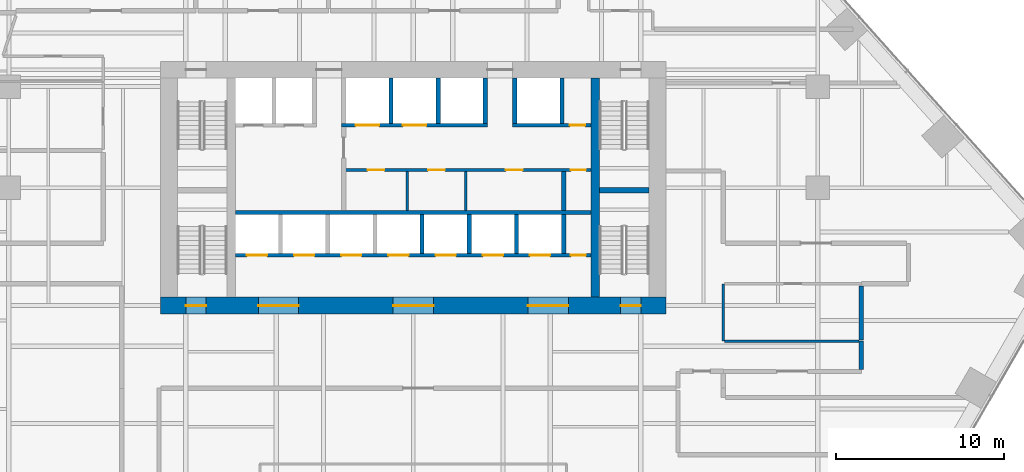
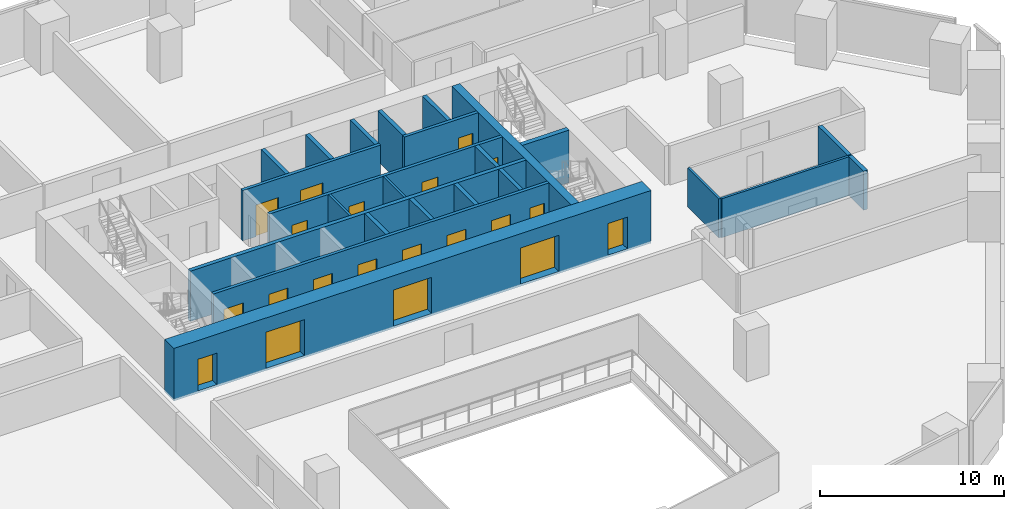
# One storey, part 15 of 20: 24 walls, 20 doors, 20 openings.
"""IFC4 building model written with IfcOpenShell, lengths in metres."""

from ifc_helpers import new_model, si_unit, direction, frame, frame_2d, origin, place, context, subcontext, project, spatial, rectangle, extrude, material, layer, layer_set, type_object, element, fill, save


model = new_model("IFC4")

# Units and contexts
model_context = context("Model", 3, precision=1e-05, world=origin(), true_north=direction((0.0, 1.0)))
body_context = subcontext(model_context, "Body", "Model", "MODEL_VIEW")
ifc_project = project(units=[si_unit("LENGTHUNIT", "METRE"), si_unit("AREAUNIT", "SQUARE_METRE"), si_unit("VOLUMEUNIT", "CUBIC_METRE"), si_unit("PLANEANGLEUNIT", "RADIAN"), si_unit("MASSUNIT", "GRAM", prefix="KILO")], contexts=[model_context])

# Site, building, storey
site_placement = place(None, origin())
site = spatial("IfcSite", under=ifc_project, at=site_placement, CompositionType="ELEMENT")
building_placement = place(site_placement, origin())
building = spatial("IfcBuilding", under=site, at=building_placement, Name="Isthmus Gate Tower", CompositionType="ELEMENT")
storey_placement = place(building_placement, frame((0.0, 0.0, 72.5)))
storey = spatial("IfcBuildingStorey", under=building, at=storey_placement, Name="L16", CompositionType="ELEMENT", Elevation=72.5)

# Walls
ifc_material_1 = material(Name="Double-leaf acoustic stud wall, fire-rated", Category="gypsum")
ifc_layer_1 = layer(ifc_material_1, 0.25)
ifc_layer_set_1 = layer_set([ifc_layer_1], Name="ACOUSTIC WALL 250 60 MIN")
wall_type_1 = type_object("IfcWallType", Name="ACOUSTIC WALL 250 60 MIN", PredefinedType="PARTITIONING", material=ifc_layer_set_1)
wall_1_placement = place(storey_placement, frame((26.590087890625, -1.60009765625, 0.0), z_axis=(0.0, 0.0, 1.0), x_axis=(0.0, -1.0, 0.0)))
element("IfcWall", 1, at=wall_1_placement, inside=storey, type_object=wall_type_1, Name="L16 Acoustic Wall 250 60 Min", PredefinedType="PARTITIONING", context=body_context, shape_type="SweptSolid", body=[
    extrude(rectangle(XDim=1.6748046875, YDim=0.25, at=frame_2d((0.83740234375, 0.0))), origin(), (0.0, 0.0, 1.0), 2.59130859375),
])
wall_2_placement = place(storey_placement, frame((26.590087890625, -1.52490234375, 0.0), z_axis=(0.0, 0.0, 1.0), x_axis=(0.00053406569, 0.999999857387, 0.0)))
element("IfcWall", 2, at=wall_2_placement, inside=storey, type_object=wall_type_1, Name="L16 Acoustic Wall 250 60 Min", PredefinedType="PARTITIONING", context=body_context, shape_type="SweptSolid", body=[
    extrude(rectangle(XDim=3.199951171875, YDim=0.25, at=frame_2d((1.60009765625, 0.0))), origin(), (0.0, 0.0, 1.0), 2.59130859375),
])
ifc_material_2 = material(Name="Gypsum board on steel studs, fire-rated", Category="steel")
ifc_layer_2 = layer(ifc_material_2, 0.14990234375)
ifc_layer_set_2 = layer_set([ifc_layer_2], Name="CORRIDOR WALL 150 60 MIN")
wall_type_2 = type_object("IfcWallType", Name="CORRIDOR WALL 150 60 MIN", PredefinedType="PARTITIONING", material=ifc_layer_set_2)
wall_3_placement = place(storey_placement, frame((18.39990234375, 1.800048828125, 0.0), z_axis=(0.0, 0.0, 1.0), x_axis=(0.0, -1.0, 0.0)))
element("IfcWall", 3, at=wall_3_placement, inside=storey, type_object=wall_type_2, Name="L16 Corridor Wall 150 60 Min", PredefinedType="PARTITIONING", context=body_context, shape_type="SweptSolid", body=[
    extrude(rectangle(XDim=3.400146484375, YDim=0.14990234375, at=frame_2d((1.7001953125, 0.0))), origin(), (0.0, 0.0, 1.0), 2.59130859375),
])
wall_4_placement = place(storey_placement, frame((18.47509765625, -1.60009765625, 0.0), z_axis=(0.0, 0.0, 1.0), x_axis=(1.0, 0.0, 0.0)))
element("IfcWall", 4, at=wall_4_placement, inside=storey, type_object=wall_type_2, Name="L16 Corridor Wall 150 60 Min", PredefinedType="PARTITIONING", context=body_context, shape_type="SweptSolid", body=[
    extrude(rectangle(XDim=7.989990234375, YDim=0.14990234375, at=frame_2d((3.9951171875, 0.0))), origin(), (0.0, 0.0, 1.0), 2.59130859375),
])
ifc_material_3 = material(Name="Concrete f'c 70 MPa", Category="concrete")
ifc_layer_3 = layer(ifc_material_3, 0.5)
ifc_layer_set_3 = layer_set([ifc_layer_3], Name="RC CORE SPINE WALL 500 F'C 70")
wall_type_3 = type_object("IfcWallType", Name="RC CORE SPINE WALL 500 F'C 70", PredefinedType="SOLIDWALL", material=ifc_layer_set_3)
wall_5_placement = place(storey_placement, frame((10.800048828125, 1.0, -0.14990234375), z_axis=(0.0, 0.0, 1.0), x_axis=(0.0, 1.0, 0.0)))
element("IfcWall", 5, at=wall_5_placement, inside=storey, type_object=wall_type_3, Name="str-corewall-L16-SPE", PredefinedType="SOLIDWALL", context=body_context, shape_type="SweptSolid", body=[
    extrude(rectangle(XDim=13.0, YDim=0.5, at=frame_2d((6.5, 0.0))), origin(), (0.0, 0.0, 1.0), 3.5),
])

# Wall, openings, doors
ifc_material_4 = material(Name="Concrete f'c 70 MPa", Category="concrete")
ifc_layer_4 = layer(ifc_material_4, 1.0)
ifc_layer_set_4 = layer_set([ifc_layer_4], Name="RC CORE WALL 1000 F'C 70")
wall_type_4 = type_object("IfcWallType", Name="RC CORE WALL 1000 F'C 70", PredefinedType="SOLIDWALL", material=ifc_layer_set_4)
wall_6_placement = place(storey_placement, frame((-15.0, 0.5, -0.14990234375), z_axis=(0.0, 0.0, 1.0), x_axis=(1.0, 0.0, 0.0)))
wall_6 = element("IfcWall", 6, at=wall_6_placement, inside=storey, type_object=wall_type_4, Name="str-corewall-L16-S", PredefinedType="SOLIDWALL", context=body_context, shape_type="SweptSolid", body=[
    extrude(rectangle(XDim=30.0, YDim=1.0, at=frame_2d((15.0, 0.0))), origin(), (0.0, 0.0, 1.0), 3.5),
])
opening_1_placement = place(wall_6_placement, frame((5.800048828125, 0.0, 0.14990234375)))
opening_1 = element("IfcOpeningElement", 7, at=opening_1_placement, cuts=wall_6, Name="Opening DC-A05-08", PredefinedType="OPENING", context=body_context, shape_type="SweptSolid", body=[
    extrude(rectangle(XDim=2.39990234375, YDim=2.39990234375, at=frame_2d((1.199951171875, 1.199951171875))), frame((0.0, 0.510009765625, 0.0), z_axis=(0.0, -1.0, 0.0), x_axis=(1.0, 0.0, 0.0)), (0.0, 0.0, 1.0), 1.02001953125),
])
opening_2_placement = place(wall_6_placement, frame((13.800048828125, 0.0, 0.14990234375)))
opening_2 = element("IfcOpeningElement", 8, at=opening_2_placement, cuts=wall_6, Name="Opening DC-A05-09", PredefinedType="OPENING", context=body_context, shape_type="SweptSolid", body=[
    extrude(rectangle(XDim=2.39990234375, YDim=2.39990234375, at=frame_2d((1.199951171875, 1.199951171875))), frame((0.0, 0.510009765625, 0.0), z_axis=(0.0, -1.0, 0.0), x_axis=(1.0, 0.0, 0.0)), (0.0, 0.0, 1.0), 1.02001953125),
])
opening_3_placement = place(wall_6_placement, frame((21.800048828125, 0.0, 0.14990234375)))
opening_3 = element("IfcOpeningElement", 9, at=opening_3_placement, cuts=wall_6, Name="Opening DC-A05-10", PredefinedType="OPENING", context=body_context, shape_type="SweptSolid", body=[
    extrude(rectangle(XDim=2.39990234375, YDim=2.39990234375, at=frame_2d((1.199951171875, 1.199951171875))), frame((0.0, 0.510009765625, 0.0), z_axis=(0.0, -1.0, 0.0), x_axis=(1.0, 0.0, 0.0)), (0.0, 0.0, 1.0), 1.02001953125),
])
opening_4_placement = place(wall_6_placement, frame((1.5, 0.0, 0.14990234375)))
opening_4 = element("IfcOpeningElement", 10, at=opening_4_placement, cuts=wall_6, Name="Opening DC-A05-15", PredefinedType="OPENING", context=body_context, shape_type="SweptSolid", body=[
    extrude(rectangle(XDim=1.199951171875, YDim=2.10009765625, at=frame_2d((0.60009765625, 1.050048828125))), frame((0.0, 0.510009765625, 0.0), z_axis=(0.0, -1.0, 0.0), x_axis=(1.0, 0.0, 0.0)), (0.0, 0.0, 1.0), 1.02001953125),
])
opening_5_placement = place(wall_6_placement, frame((27.300048828125, 0.0, 0.14990234375)))
opening_5 = element("IfcOpeningElement", 11, at=opening_5_placement, cuts=wall_6, Name="Opening DC-A05-16", PredefinedType="OPENING", context=body_context, shape_type="SweptSolid", body=[
    extrude(rectangle(XDim=1.199951171875, YDim=2.10009765625, at=frame_2d((0.60009765625, 1.050048828125))), frame((0.0, 0.510009765625, 0.0), z_axis=(0.0, -1.0, 0.0), x_axis=(1.0, 0.0, 0.0)), (0.0, 0.0, 1.0), 1.02001953125),
])
ifc_material_5 = material(Name="Laminated safety glass in steel frame, fire-rated", Category="steel")
door_type_1 = type_object("IfcDoorType", Name="LOBBY ENTRANCE FIRE DOOR 2400 X 2400 60 MIN", OperationType="DOUBLE_DOOR_DOUBLE_SWING", PredefinedType="DOOR", material=ifc_material_5)
door_1_placement = place(opening_1_placement, origin())
door_1 = element("IfcDoor", 12, at=door_1_placement, inside=storey, type_object=door_type_1, Name="Lobby Entrance PS-W", OperationType="DOUBLE_DOOR_DOUBLE_SWING", OverallHeight=2.39990234375, OverallWidth=2.39990234375, PredefinedType="DOOR", context=body_context, shape_type="SweptSolid", body=[
    extrude(rectangle(XDim=2.39990234375, YDim=2.39990234375, at=frame_2d((1.199951171875, 1.199951171875))), frame((0.0, 0.02490234375, 0.0), z_axis=(0.0, -1.0, 0.0), x_axis=(1.0, 0.0, 0.0)), (0.0, 0.0, 1.0), 0.050048828125),
])
fill(opening_1, door_1)
door_2_placement = place(opening_2_placement, origin())
door_2 = element("IfcDoor", 13, at=door_2_placement, inside=storey, type_object=door_type_1, Name="Lobby Entrance PS-C", OperationType="DOUBLE_DOOR_DOUBLE_SWING", OverallHeight=2.39990234375, OverallWidth=2.39990234375, PredefinedType="DOOR", context=body_context, shape_type="SweptSolid", body=[
    extrude(rectangle(XDim=2.39990234375, YDim=2.39990234375, at=frame_2d((1.199951171875, 1.199951171875))), frame((0.0, 0.02490234375, 0.0), z_axis=(0.0, -1.0, 0.0), x_axis=(1.0, 0.0, 0.0)), (0.0, 0.0, 1.0), 0.050048828125),
])
fill(opening_2, door_2)
door_3_placement = place(opening_3_placement, origin())
door_3 = element("IfcDoor", 14, at=door_3_placement, inside=storey, type_object=door_type_1, Name="Lobby Entrance PS-E", OperationType="DOUBLE_DOOR_DOUBLE_SWING", OverallHeight=2.39990234375, OverallWidth=2.39990234375, PredefinedType="DOOR", context=body_context, shape_type="SweptSolid", body=[
    extrude(rectangle(XDim=2.39990234375, YDim=2.39990234375, at=frame_2d((1.199951171875, 1.199951171875))), frame((0.0, 0.02490234375, 0.0), z_axis=(0.0, -1.0, 0.0), x_axis=(1.0, 0.0, 0.0)), (0.0, 0.0, 1.0), 0.050048828125),
])
fill(opening_3, door_3)
ifc_material_6 = material(Name="Steel door leaf, fire-rated", Category="steel")
door_type_2 = type_object("IfcDoorType", Name="STAIR FIRE DOOR 1200 X 2100 90 MIN", OperationType="SINGLE_SWING_LEFT", PredefinedType="DOOR", material=ifc_material_6)
door_4_placement = place(opening_4_placement, origin())
door_4 = element("IfcDoor", 15, at=door_4_placement, inside=storey, type_object=door_type_2, Name="Exit Stair 7 Door", OperationType="SINGLE_SWING_LEFT", OverallHeight=2.10009765625, OverallWidth=1.199951171875, PredefinedType="DOOR", context=body_context, shape_type="SweptSolid", body=[
    extrude(rectangle(XDim=1.199951171875, YDim=2.10009765625, at=frame_2d((0.60009765625, 1.050048828125))), frame((0.0, 0.02490234375, 0.0), z_axis=(0.0, -1.0, 0.0), x_axis=(1.0, 0.0, 0.0)), (0.0, 0.0, 1.0), 0.050048828125),
])
fill(opening_4, door_4)
door_5_placement = place(opening_5_placement, origin())
door_5 = element("IfcDoor", 16, at=door_5_placement, inside=storey, type_object=door_type_2, Name="Exit Stair 8 Door", OperationType="SINGLE_SWING_RIGHT", OverallHeight=2.10009765625, OverallWidth=1.199951171875, PredefinedType="DOOR", context=body_context, shape_type="SweptSolid", body=[
    extrude(rectangle(XDim=1.199951171875, YDim=2.10009765625, at=frame_2d((0.60009765625, 1.050048828125))), frame((0.0, 0.02490234375, 0.0), z_axis=(0.0, -1.0, 0.0), x_axis=(1.0, 0.0, 0.0)), (0.0, 0.0, 1.0), 0.050048828125),
])
fill(opening_5, door_5)

# Walls
ifc_material_7 = material(Name="Gypsum board on steel studs, fire-rated", Category="steel")
ifc_layer_5 = layer(ifc_material_7, 0.14990234375)
ifc_layer_set_5 = layer_set([ifc_layer_5], Name="ROOM PARTITION 150 60 MIN")
wall_type_5 = type_object("IfcWallType", Name="ROOM PARTITION 150 60 MIN", PredefinedType="PARTITIONING", material=ifc_layer_set_5)
for number, where, z_axis, x_axis, name in (
    (17, (-0.35009765625, 6.14990234375, 0.0), (0.0, 0.0, 1.0), (0.0, 1.0, 0.0), "L16 ROOM PARTITION 150 60 MIN"),
    (18, (3.10009765625, 6.14990234375, 0.0), (0.0, 0.0, 1.0), (0.0, 1.0, 0.0), "L16 ROOM PARTITION 150 60 MIN"),
):
    element("IfcWall", number, at=place(storey_placement, frame(where, z_axis=z_axis, x_axis=x_axis)), inside=storey, type_object=wall_type_5, Name=name, PredefinedType="PARTITIONING", context=body_context, shape_type="SweptSolid", body=[
        extrude(rectangle(XDim=2.300048828125, YDim=0.14990234375, at=frame_2d((1.14990234375, 0.0))), origin(), (0.0, 0.0, 1.0), 3.35009765625),
    ])

# Wall, openings, doors
ifc_material_8 = material(Name="Fire-rated blockwork masonry, 15 MPa", Category="masonry")
ifc_layer_6 = layer(ifc_material_8, 0.199951171875)
ifc_layer_set_6 = layer_set([ifc_layer_6], Name="SHAFT FRONT WALL 200 120 MIN")
wall_type_6 = type_object("IfcWallType", Name="SHAFT FRONT WALL 200 120 MIN", PredefinedType="PARTITIONING", material=ifc_layer_set_6)
wall_7_placement = place(storey_placement, frame((-10.550048828125, 3.5, 0.0), z_axis=(0.0, 0.0, 1.0), x_axis=(1.0, 0.0, 0.0)))
wall_7 = element("IfcWall", 19, at=wall_7_placement, inside=storey, type_object=wall_type_6, Name="L16 SHAFT FRONT WALL 200 120 MIN", PredefinedType="PARTITIONING", context=body_context, shape_type="SweptSolid", body=[
    extrude(rectangle(XDim=21.10009765625, YDim=0.199951171875, at=frame_2d((10.550048828125, 0.0))), origin(), (0.0, 0.0, 1.0), 3.35009765625),
])
opening_6_placement = place(wall_7_placement, frame((0.675048828125, 0.0, 0.0)))
opening_6 = element("IfcOpeningElement", 20, at=opening_6_placement, cuts=wall_7, Name="Opening LD-LA1", PredefinedType="OPENING", context=body_context, shape_type="SweptSolid", body=[
    extrude(rectangle(XDim=1.199951171875, YDim=2.10009765625, at=frame_2d((0.60009765625, 1.050048828125))), frame((0.0, 0.10986328125, 0.0), z_axis=(0.0, -1.0, 0.0), x_axis=(1.0, 0.0, 0.0)), (0.0, 0.0, 1.0), 0.219970703125),
])
opening_7_placement = place(wall_7_placement, frame((3.47509765625, 0.0, 0.0)))
opening_7 = element("IfcOpeningElement", 21, at=opening_7_placement, cuts=wall_7, Name="Opening LD-LA2", PredefinedType="OPENING", context=body_context, shape_type="SweptSolid", body=[
    extrude(rectangle(XDim=1.199951171875, YDim=2.10009765625, at=frame_2d((0.60009765625, 1.050048828125))), frame((0.0, 0.10986328125, 0.0), z_axis=(0.0, -1.0, 0.0), x_axis=(1.0, 0.0, 0.0)), (0.0, 0.0, 1.0), 0.219970703125),
])
opening_8_placement = place(wall_7_placement, frame((6.27490234375, 0.0, 0.0)))
opening_8 = element("IfcOpeningElement", 22, at=opening_8_placement, cuts=wall_7, Name="Opening LD-LA3", PredefinedType="OPENING", context=body_context, shape_type="SweptSolid", body=[
    extrude(rectangle(XDim=1.199951171875, YDim=2.10009765625, at=frame_2d((0.60009765625, 1.050048828125))), frame((0.0, 0.10986328125, 0.0), z_axis=(0.0, -1.0, 0.0), x_axis=(1.0, 0.0, 0.0)), (0.0, 0.0, 1.0), 0.219970703125),
])
opening_9_placement = place(wall_7_placement, frame((9.074951171875, 0.0, 0.0)))
opening_9 = element("IfcOpeningElement", 23, at=opening_9_placement, cuts=wall_7, Name="Opening LD-LA4", PredefinedType="OPENING", context=body_context, shape_type="SweptSolid", body=[
    extrude(rectangle(XDim=1.199951171875, YDim=2.10009765625, at=frame_2d((0.60009765625, 1.050048828125))), frame((0.0, 0.10986328125, 0.0), z_axis=(0.0, -1.0, 0.0), x_axis=(1.0, 0.0, 0.0)), (0.0, 0.0, 1.0), 0.219970703125),
])
opening_10_placement = place(wall_7_placement, frame((11.875, 0.0, 0.0)))
opening_10 = element("IfcOpeningElement", 24, at=opening_10_placement, cuts=wall_7, Name="Opening LD-LA5", PredefinedType="OPENING", context=body_context, shape_type="SweptSolid", body=[
    extrude(rectangle(XDim=1.199951171875, YDim=2.10009765625, at=frame_2d((0.60009765625, 1.050048828125))), frame((0.0, 0.10986328125, 0.0), z_axis=(0.0, -1.0, 0.0), x_axis=(1.0, 0.0, 0.0)), (0.0, 0.0, 1.0), 0.219970703125),
])
opening_11_placement = place(wall_7_placement, frame((14.675048828125, 0.0, 0.0)))
opening_11 = element("IfcOpeningElement", 25, at=opening_11_placement, cuts=wall_7, Name="Opening LD-LA6", PredefinedType="OPENING", context=body_context, shape_type="SweptSolid", body=[
    extrude(rectangle(XDim=1.199951171875, YDim=2.10009765625, at=frame_2d((0.60009765625, 1.050048828125))), frame((0.0, 0.10986328125, 0.0), z_axis=(0.0, -1.0, 0.0), x_axis=(1.0, 0.0, 0.0)), (0.0, 0.0, 1.0), 0.219970703125),
])
opening_12_placement = place(wall_7_placement, frame((17.47509765625, 0.0, 0.0)))
opening_12 = element("IfcOpeningElement", 26, at=opening_12_placement, cuts=wall_7, Name="Opening LD-LA7", PredefinedType="OPENING", context=body_context, shape_type="SweptSolid", body=[
    extrude(rectangle(XDim=1.199951171875, YDim=2.10009765625, at=frame_2d((0.60009765625, 1.050048828125))), frame((0.0, 0.10986328125, 0.0), z_axis=(0.0, -1.0, 0.0), x_axis=(1.0, 0.0, 0.0)), (0.0, 0.0, 1.0), 0.219970703125),
])
opening_13_placement = place(wall_7_placement, frame((19.89990234375, 0.0, 0.0)))
opening_13 = element("IfcOpeningElement", 27, at=opening_13_placement, cuts=wall_7, Name="Opening DC-A05-02", PredefinedType="OPENING", context=body_context, shape_type="SweptSolid", body=[
    extrude(rectangle(XDim=0.89990234375, YDim=2.10009765625, at=frame_2d((0.449951171875, 1.050048828125))), frame((0.0, 0.10986328125, 0.0), z_axis=(0.0, -1.0, 0.0), x_axis=(1.0, 0.0, 0.0)), (0.0, 0.0, 1.0), 0.219970703125),
])
ifc_material_9 = material(Name="Stainless steel sliding leaf", Category="steel")
door_type_3 = type_object("IfcDoorType", Name="LIFT LANDING FIRE DOOR 1200 X 2100 90 MIN", OperationType="DOUBLE_DOOR_SLIDING", PredefinedType="DOOR", material=ifc_material_9)
door_6_placement = place(opening_6_placement, origin())
door_6 = element("IfcDoor", 28, at=door_6_placement, inside=storey, type_object=door_type_3, Name="Lift Landing Door LA1", OperationType="DOUBLE_DOOR_SLIDING", OverallHeight=2.10009765625, OverallWidth=1.199951171875, PredefinedType="DOOR", context=body_context, shape_type="SweptSolid", body=[
    extrude(rectangle(XDim=1.199951171875, YDim=2.10009765625, at=frame_2d((0.60009765625, 1.050048828125))), frame((0.0, 0.02490234375, 0.0), z_axis=(0.0, -1.0, 0.0), x_axis=(1.0, 0.0, 0.0)), (0.0, 0.0, 1.0), 0.050048828125),
])
fill(opening_6, door_6)
door_7_placement = place(opening_7_placement, origin())
door_7 = element("IfcDoor", 29, at=door_7_placement, inside=storey, type_object=door_type_3, Name="Lift Landing Door LA2", OperationType="DOUBLE_DOOR_SLIDING", OverallHeight=2.10009765625, OverallWidth=1.199951171875, PredefinedType="DOOR", context=body_context, shape_type="SweptSolid", body=[
    extrude(rectangle(XDim=1.199951171875, YDim=2.10009765625, at=frame_2d((0.60009765625, 1.050048828125))), frame((0.0, 0.02490234375, 0.0), z_axis=(0.0, -1.0, 0.0), x_axis=(1.0, 0.0, 0.0)), (0.0, 0.0, 1.0), 0.050048828125),
])
fill(opening_7, door_7)
door_8_placement = place(opening_8_placement, origin())
door_8 = element("IfcDoor", 30, at=door_8_placement, inside=storey, type_object=door_type_3, Name="Lift Landing Door LA3", OperationType="DOUBLE_DOOR_SLIDING", OverallHeight=2.10009765625, OverallWidth=1.199951171875, PredefinedType="DOOR", context=body_context, shape_type="SweptSolid", body=[
    extrude(rectangle(XDim=1.199951171875, YDim=2.10009765625, at=frame_2d((0.60009765625, 1.050048828125))), frame((0.0, 0.02490234375, 0.0), z_axis=(0.0, -1.0, 0.0), x_axis=(1.0, 0.0, 0.0)), (0.0, 0.0, 1.0), 0.050048828125),
])
fill(opening_8, door_8)
door_9_placement = place(opening_9_placement, origin())
door_9 = element("IfcDoor", 31, at=door_9_placement, inside=storey, type_object=door_type_3, Name="Lift Landing Door LA4", OperationType="DOUBLE_DOOR_SLIDING", OverallHeight=2.10009765625, OverallWidth=1.199951171875, PredefinedType="DOOR", context=body_context, shape_type="SweptSolid", body=[
    extrude(rectangle(XDim=1.199951171875, YDim=2.10009765625, at=frame_2d((0.60009765625, 1.050048828125))), frame((0.0, 0.02490234375, 0.0), z_axis=(0.0, -1.0, 0.0), x_axis=(1.0, 0.0, 0.0)), (0.0, 0.0, 1.0), 0.050048828125),
])
fill(opening_9, door_9)
door_10_placement = place(opening_10_placement, origin())
door_10 = element("IfcDoor", 32, at=door_10_placement, inside=storey, type_object=door_type_3, Name="Lift Landing Door LA5", OperationType="DOUBLE_DOOR_SLIDING", OverallHeight=2.10009765625, OverallWidth=1.199951171875, PredefinedType="DOOR", context=body_context, shape_type="SweptSolid", body=[
    extrude(rectangle(XDim=1.199951171875, YDim=2.10009765625, at=frame_2d((0.60009765625, 1.050048828125))), frame((0.0, 0.02490234375, 0.0), z_axis=(0.0, -1.0, 0.0), x_axis=(1.0, 0.0, 0.0)), (0.0, 0.0, 1.0), 0.050048828125),
])
fill(opening_10, door_10)
door_11_placement = place(opening_11_placement, origin())
door_11 = element("IfcDoor", 33, at=door_11_placement, inside=storey, type_object=door_type_3, Name="Lift Landing Door LA6", OperationType="DOUBLE_DOOR_SLIDING", OverallHeight=2.10009765625, OverallWidth=1.199951171875, PredefinedType="DOOR", context=body_context, shape_type="SweptSolid", body=[
    extrude(rectangle(XDim=1.199951171875, YDim=2.10009765625, at=frame_2d((0.60009765625, 1.050048828125))), frame((0.0, 0.02490234375, 0.0), z_axis=(0.0, -1.0, 0.0), x_axis=(1.0, 0.0, 0.0)), (0.0, 0.0, 1.0), 0.050048828125),
])
fill(opening_11, door_11)
door_12_placement = place(opening_12_placement, origin())
door_12 = element("IfcDoor", 34, at=door_12_placement, inside=storey, type_object=door_type_3, Name="Lift Landing Door LA7", OperationType="DOUBLE_DOOR_SLIDING", OverallHeight=2.10009765625, OverallWidth=1.199951171875, PredefinedType="DOOR", context=body_context, shape_type="SweptSolid", body=[
    extrude(rectangle(XDim=1.199951171875, YDim=2.10009765625, at=frame_2d((0.60009765625, 1.050048828125))), frame((0.0, 0.02490234375, 0.0), z_axis=(0.0, -1.0, 0.0), x_axis=(1.0, 0.0, 0.0)), (0.0, 0.0, 1.0), 0.050048828125),
])
fill(opening_12, door_12)
ifc_material_10 = material(Name="Steel door leaf, fire-rated", Category="steel")
door_type_4 = type_object("IfcDoorType", Name="RISER FIRE DOOR 900 X 2100 90 MIN", OperationType="SINGLE_SWING_LEFT", PredefinedType="DOOR", material=ifc_material_10)
door_13_placement = place(opening_13_placement, origin())
door_13 = element("IfcDoor", 35, at=door_13_placement, inside=storey, type_object=door_type_4, Name="Riser Door", OperationType="SINGLE_SWING_RIGHT", OverallHeight=2.10009765625, OverallWidth=0.89990234375, PredefinedType="DOOR", context=body_context, shape_type="SweptSolid", body=[
    extrude(rectangle(XDim=0.89990234375, YDim=2.10009765625, at=frame_2d((0.449951171875, 1.050048828125))), frame((0.0, 0.02490234375, 0.0), z_axis=(0.0, -1.0, 0.0), x_axis=(1.0, 0.0, 0.0)), (0.0, 0.0, 1.0), 0.050048828125),
])
fill(opening_13, door_13)

wall_8_placement = place(storey_placement, frame((-4.125, 8.550048828125, 0.0), z_axis=(0.0, 0.0, 1.0), x_axis=(1.0, 0.0, 0.0)))
wall_8 = element("IfcWall", 36, at=wall_8_placement, inside=storey, type_object=wall_type_6, Name="L16 SHAFT FRONT WALL 200 120 MIN", PredefinedType="PARTITIONING", context=body_context, shape_type="SweptSolid", body=[
    extrude(rectangle(XDim=14.675048828125, YDim=0.199951171875, at=frame_2d((7.33740234375, 0.0))), origin(), (0.0, 0.0, 1.0), 3.35009765625),
])
opening_14_placement = place(wall_8_placement, frame((1.41259765625, 0.0, 0.0)))
opening_14 = element("IfcOpeningElement", 37, at=opening_14_placement, cuts=wall_8, Name="Opening DC-A05-03", PredefinedType="OPENING", context=body_context, shape_type="SweptSolid", body=[
    extrude(rectangle(XDim=1.0, YDim=2.10009765625, at=frame_2d((0.5, 1.050048828125))), frame((0.0, 0.10986328125, 0.0), z_axis=(0.0, -1.0, 0.0), x_axis=(1.0, 0.0, 0.0)), (0.0, 0.0, 1.0), 0.219970703125),
])
opening_15_placement = place(wall_8_placement, frame((5.0, 0.0, 0.0)))
opening_15 = element("IfcOpeningElement", 38, at=opening_15_placement, cuts=wall_8, Name="Opening DC-A05-04", PredefinedType="OPENING", context=body_context, shape_type="SweptSolid", body=[
    extrude(rectangle(XDim=1.0, YDim=2.10009765625, at=frame_2d((0.5, 1.050048828125))), frame((0.0, 0.10986328125, 0.0), z_axis=(0.0, -1.0, 0.0), x_axis=(1.0, 0.0, 0.0)), (0.0, 0.0, 1.0), 0.219970703125),
])
opening_16_placement = place(wall_8_placement, frame((9.612548828125, 0.0, 0.0)))
opening_16 = element("IfcOpeningElement", 39, at=opening_16_placement, cuts=wall_8, Name="Opening DC-A05-05", PredefinedType="OPENING", context=body_context, shape_type="SweptSolid", body=[
    extrude(rectangle(XDim=1.0, YDim=2.10009765625, at=frame_2d((0.5, 1.050048828125))), frame((0.0, 0.10986328125, 0.0), z_axis=(0.0, -1.0, 0.0), x_axis=(1.0, 0.0, 0.0)), (0.0, 0.0, 1.0), 0.219970703125),
])
opening_17_placement = place(wall_8_placement, frame((13.47509765625, 0.0, 0.0)))
opening_17 = element("IfcOpeningElement", 40, at=opening_17_placement, cuts=wall_8, Name="Opening DC-A05-06", PredefinedType="OPENING", context=body_context, shape_type="SweptSolid", body=[
    extrude(rectangle(XDim=0.89990234375, YDim=2.10009765625, at=frame_2d((0.449951171875, 1.050048828125))), frame((0.0, 0.10986328125, 0.0), z_axis=(0.0, -1.0, 0.0), x_axis=(1.0, 0.0, 0.0)), (0.0, 0.0, 1.0), 0.219970703125),
])
ifc_material_11 = material(Name="Steel door leaf, fire-rated", Category="steel")
door_type_5 = type_object("IfcDoorType", Name="FIRE DOOR 1000 X 2100 60 MIN", OperationType="SINGLE_SWING_LEFT", PredefinedType="DOOR", material=ifc_material_11)
door_14_placement = place(opening_14_placement, origin())
door_14 = element("IfcDoor", 41, at=door_14_placement, inside=storey, type_object=door_type_5, Name="WC Women Door", OperationType="SINGLE_SWING_LEFT", OverallHeight=2.10009765625, OverallWidth=1.0, PredefinedType="DOOR", context=body_context, shape_type="SweptSolid", body=[
    extrude(rectangle(XDim=1.0, YDim=2.10009765625, at=frame_2d((0.5, 1.050048828125))), frame((0.0, 0.02490234375, 0.0), z_axis=(0.0, -1.0, 0.0), x_axis=(1.0, 0.0, 0.0)), (0.0, 0.0, 1.0), 0.050048828125),
])
fill(opening_14, door_14)
door_15_placement = place(opening_15_placement, origin())
door_15 = element("IfcDoor", 42, at=door_15_placement, inside=storey, type_object=door_type_5, Name="WC Men Door", OperationType="SINGLE_SWING_RIGHT", OverallHeight=2.10009765625, OverallWidth=1.0, PredefinedType="DOOR", context=body_context, shape_type="SweptSolid", body=[
    extrude(rectangle(XDim=1.0, YDim=2.10009765625, at=frame_2d((0.5, 1.050048828125))), frame((0.0, 0.02490234375, 0.0), z_axis=(0.0, -1.0, 0.0), x_axis=(1.0, 0.0, 0.0)), (0.0, 0.0, 1.0), 0.050048828125),
])
fill(opening_15, door_15)
door_16_placement = place(opening_16_placement, origin())
door_16 = element("IfcDoor", 43, at=door_16_placement, inside=storey, type_object=door_type_5, Name="Accessible WC Door", OperationType="SINGLE_SWING_LEFT", OverallHeight=2.10009765625, OverallWidth=1.0, PredefinedType="DOOR", context=body_context, shape_type="SweptSolid", body=[
    extrude(rectangle(XDim=1.0, YDim=2.10009765625, at=frame_2d((0.5, 1.050048828125))), frame((0.0, 0.02490234375, 0.0), z_axis=(0.0, -1.0, 0.0), x_axis=(1.0, 0.0, 0.0)), (0.0, 0.0, 1.0), 0.050048828125),
])
fill(opening_16, door_16)
door_17_placement = place(opening_17_placement, origin())
door_17 = element("IfcDoor", 44, at=door_17_placement, inside=storey, type_object=door_type_4, Name="Riser Door", OperationType="SINGLE_SWING_RIGHT", OverallHeight=2.10009765625, OverallWidth=0.89990234375, PredefinedType="DOOR", context=body_context, shape_type="SweptSolid", body=[
    extrude(rectangle(XDim=0.89990234375, YDim=2.10009765625, at=frame_2d((0.449951171875, 1.050048828125))), frame((0.0, 0.02490234375, 0.0), z_axis=(0.0, -1.0, 0.0), x_axis=(1.0, 0.0, 0.0)), (0.0, 0.0, 1.0), 0.050048828125),
])
fill(opening_17, door_17)

wall_9_placement = place(storey_placement, frame((-4.25, 11.199951171875, 0.0), z_axis=(0.0, 0.0, 1.0), x_axis=(1.0, 0.0, 0.0)))
wall_9 = element("IfcWall", 45, at=wall_9_placement, inside=storey, type_object=wall_type_6, Name="L16 SHAFT FRONT WALL 200 120 MIN", PredefinedType="PARTITIONING", context=body_context, shape_type="SweptSolid", body=[
    extrude(rectangle(XDim=8.64990234375, YDim=0.199951171875, at=frame_2d((4.324951171875, 0.0))), origin(), (0.0, 0.0, 1.0), 3.35009765625),
])
opening_18_placement = place(wall_9_placement, frame((0.824951171875, 0.0, 0.0)))
opening_18 = element("IfcOpeningElement", 46, at=opening_18_placement, cuts=wall_9, Name="Opening LD-LV1", PredefinedType="OPENING", context=body_context, shape_type="SweptSolid", body=[
    extrude(rectangle(XDim=1.39990234375, YDim=2.10009765625, at=frame_2d((0.699951171875, 1.050048828125))), frame((0.0, 0.10986328125, 0.0), z_axis=(0.0, -1.0, 0.0), x_axis=(1.0, 0.0, 0.0)), (0.0, 0.0, 1.0), 0.219970703125),
])
opening_19_placement = place(wall_9_placement, frame((3.625, 0.0, 0.0)))
opening_19 = element("IfcOpeningElement", 47, at=opening_19_placement, cuts=wall_9, Name="Opening LD-LV2", PredefinedType="OPENING", context=body_context, shape_type="SweptSolid", body=[
    extrude(rectangle(XDim=1.39990234375, YDim=2.10009765625, at=frame_2d((0.699951171875, 1.050048828125))), frame((0.0, 0.10986328125, 0.0), z_axis=(0.0, -1.0, 0.0), x_axis=(1.0, 0.0, 0.0)), (0.0, 0.0, 1.0), 0.219970703125),
])
ifc_material_12 = material(Name="Stainless steel sliding leaf", Category="steel")
door_type_6 = type_object("IfcDoorType", Name="LIFT LANDING FIRE DOOR 1400 X 2100 90 MIN", OperationType="DOUBLE_DOOR_SLIDING", PredefinedType="DOOR", material=ifc_material_12)
door_18_placement = place(opening_18_placement, origin())
door_18 = element("IfcDoor", 48, at=door_18_placement, inside=storey, type_object=door_type_6, Name="Lift Landing Door LV1", OperationType="DOUBLE_DOOR_SLIDING", OverallHeight=2.10009765625, OverallWidth=1.39990234375, PredefinedType="DOOR", context=body_context, shape_type="SweptSolid", body=[
    extrude(rectangle(XDim=1.39990234375, YDim=2.10009765625, at=frame_2d((0.699951171875, 1.050048828125))), frame((0.0, 0.02490234375, 0.0), z_axis=(0.0, -1.0, 0.0), x_axis=(1.0, 0.0, 0.0)), (0.0, 0.0, 1.0), 0.050048828125),
])
fill(opening_18, door_18)
door_19_placement = place(opening_19_placement, origin())
door_19 = element("IfcDoor", 49, at=door_19_placement, inside=storey, type_object=door_type_6, Name="Lift Landing Door LV2", OperationType="DOUBLE_DOOR_SLIDING", OverallHeight=2.10009765625, OverallWidth=1.39990234375, PredefinedType="DOOR", context=body_context, shape_type="SweptSolid", body=[
    extrude(rectangle(XDim=1.39990234375, YDim=2.10009765625, at=frame_2d((0.699951171875, 1.050048828125))), frame((0.0, 0.02490234375, 0.0), z_axis=(0.0, -1.0, 0.0), x_axis=(1.0, 0.0, 0.0)), (0.0, 0.0, 1.0), 0.050048828125),
])
fill(opening_19, door_19)

# Wall, opening, door
wall_10_placement = place(storey_placement, frame((5.89990234375, 11.199951171875, 0.0), z_axis=(0.0, 0.0, 1.0), x_axis=(1.0, 0.0, 0.0)))
wall_10 = element("IfcWall", 50, at=wall_10_placement, inside=storey, type_object=wall_type_6, Name="L16 SHAFT FRONT WALL 200 120 MIN", PredefinedType="PARTITIONING", context=body_context, shape_type="SweptSolid", body=[
    extrude(rectangle(XDim=4.650146484375, YDim=0.199951171875, at=frame_2d((2.3251953125, 0.0))), origin(), (0.0, 0.0, 1.0), 3.35009765625),
])
opening_20_placement = place(wall_10_placement, frame((3.39990234375, 0.0, 0.0)))
opening_20 = element("IfcOpeningElement", 51, at=opening_20_placement, cuts=wall_10, Name="Opening DC-A05-07", PredefinedType="OPENING", context=body_context, shape_type="SweptSolid", body=[
    extrude(rectangle(XDim=0.89990234375, YDim=2.10009765625, at=frame_2d((0.449951171875, 1.050048828125))), frame((0.0, 0.10986328125, 0.0), z_axis=(0.0, -1.0, 0.0), x_axis=(1.0, 0.0, 0.0)), (0.0, 0.0, 1.0), 0.219970703125),
])
door_20_placement = place(opening_20_placement, origin())
door_20 = element("IfcDoor", 52, at=door_20_placement, inside=storey, type_object=door_type_4, Name="Riser Door", OperationType="SINGLE_SWING_LEFT", OverallHeight=2.10009765625, OverallWidth=0.89990234375, PredefinedType="DOOR", context=body_context, shape_type="SweptSolid", body=[
    extrude(rectangle(XDim=0.89990234375, YDim=2.10009765625, at=frame_2d((0.449951171875, 1.050048828125))), frame((0.0, 0.02490234375, 0.0), z_axis=(0.0, -1.0, 0.0), x_axis=(1.0, 0.0, 0.0)), (0.0, 0.0, 1.0), 0.050048828125),
])
fill(opening_20, door_20)

# Walls
ifc_material_13 = material(Name="Fire-rated blockwork masonry, 15 MPa", Category="masonry")
ifc_layer_7 = layer(ifc_material_13, 0.25)
ifc_layer_set_7 = layer_set([ifc_layer_7], Name="SHAFT WALL 250 120 MIN")
wall_type_7 = type_object("IfcWallType", Name="SHAFT WALL 250 120 MIN", PredefinedType="PARTITIONING", material=ifc_layer_set_7)
wall_11_placement = place(storey_placement, frame((-10.550048828125, 6.02490234375, 0.0), z_axis=(0.0, 0.0, 1.0), x_axis=(1.0, 0.0, 0.0)))
element("IfcWall", 53, at=wall_11_placement, inside=storey, type_object=wall_type_7, Name="L16 SHAFT WALL 250 120 MIN", PredefinedType="PARTITIONING", context=body_context, shape_type="SweptSolid", body=[
    extrude(rectangle(XDim=21.10009765625, YDim=0.25, at=frame_2d((10.550048828125, 0.0))), origin(), (0.0, 0.0, 1.0), 3.35009765625),
])
for number, where, z_axis, x_axis, name in (
    (54, (0.52490234375, 3.60009765625, 0.0), (0.0, 0.0, 1.0), (0.0, 1.0, 0.0), "L16 SHAFT WALL 250 120 MIN"),
    (55, (3.324951171875, 3.60009765625, 0.0), (0.0, 0.0, 1.0), (0.0, 1.0, 0.0), "L16 SHAFT WALL 250 120 MIN"),
    (56, (6.125, 3.60009765625, 0.0), (0.0, 0.0, 1.0), (0.0, 1.0, 0.0), "L16 SHAFT WALL 250 120 MIN"),
    (57, (8.925048828125, 3.60009765625, 0.0), (0.0, 0.0, 1.0), (0.0, 1.0, 0.0), "L16 SHAFT WALL 250 120 MIN"),
):
    element("IfcWall", number, at=place(storey_placement, frame(where, z_axis=z_axis, x_axis=x_axis)), inside=storey, type_object=wall_type_7, Name=name, PredefinedType="PARTITIONING", context=body_context, shape_type="SweptSolid", body=[
        extrude(rectangle(XDim=2.2998046875, YDim=0.25, at=frame_2d((1.14990234375, 0.0))), origin(), (0.0, 0.0, 1.0), 3.35009765625),
    ])
wall_12_placement = place(storey_placement, frame((8.925048828125, 6.14990234375, 0.0), z_axis=(0.0, 0.0, 1.0), x_axis=(0.0, 1.0, 0.0)))
element("IfcWall", 58, at=wall_12_placement, inside=storey, type_object=wall_type_7, Name="L16 SHAFT WALL 250 120 MIN", PredefinedType="PARTITIONING", context=body_context, shape_type="SweptSolid", body=[
    extrude(rectangle(XDim=2.300048828125, YDim=0.25, at=frame_2d((1.14990234375, 0.0))), origin(), (0.0, 0.0, 1.0), 3.35009765625),
])
for number, where, z_axis, x_axis, name in (
    (59, (-1.324951171875, 11.300048828125, 0.0), (0.0, 0.0, 1.0), (0.0, 1.0, 0.0), "L16 SHAFT WALL 250 120 MIN"),
    (60, (1.47509765625, 11.300048828125, 0.0), (0.0, 0.0, 1.0), (0.0, 1.0, 0.0), "L16 SHAFT WALL 250 120 MIN"),
    (61, (4.27490234375, 11.300048828125, 0.0), (0.0, 0.0, 1.0), (0.0, 1.0, 0.0), "L16 SHAFT WALL 250 120 MIN"),
    (62, (6.02490234375, 11.300048828125, 0.0), (0.0, 0.0, 1.0), (0.0, 1.0, 0.0), "L16 SHAFT WALL 250 120 MIN"),
    (63, (8.824951171875, 11.300048828125, 0.0), (0.0, 0.0, 1.0), (0.0, 1.0, 0.0), "L16 SHAFT WALL 250 120 MIN"),
):
    element("IfcWall", number, at=place(storey_placement, frame(where, z_axis=z_axis, x_axis=x_axis)), inside=storey, type_object=wall_type_7, Name=name, PredefinedType="PARTITIONING", context=body_context, shape_type="SweptSolid", body=[
        extrude(rectangle(XDim=2.699951171875, YDim=0.25, at=frame_2d((1.35009765625, 0.0))), origin(), (0.0, 0.0, 1.0), 3.35009765625),
    ])
ifc_material_14 = material(Name="Concrete f'c 40 MPa", Category="concrete")
ifc_layer_8 = layer(ifc_material_14, 0.300048828125)
ifc_layer_set_8 = layer_set([ifc_layer_8], Name="STAIR ENCLOSURE WALL 300 180 MIN")
wall_type_8 = type_object("IfcWallType", Name="STAIR ENCLOSURE WALL 300 180 MIN", PredefinedType="SOLIDWALL", material=ifc_layer_set_8)
wall_13_placement = place(storey_placement, frame((11.050048828125, 7.35009765625, -0.14990234375), z_axis=(0.0, 0.0, 1.0), x_axis=(1.0, 0.0, 0.0)))
element("IfcWall", 64, at=wall_13_placement, inside=storey, type_object=wall_type_8, Name="L16 STAIR ENCLOSURE WALL 300 180 MIN", PredefinedType="SOLIDWALL", context=body_context, shape_type="SweptSolid", body=[
    extrude(rectangle(XDim=2.949951171875, YDim=0.300048828125, at=frame_2d((1.47509765625, 0.0))), origin(), (0.0, 0.0, 1.0), 3.5),
])

save(model, "model.ifc")
